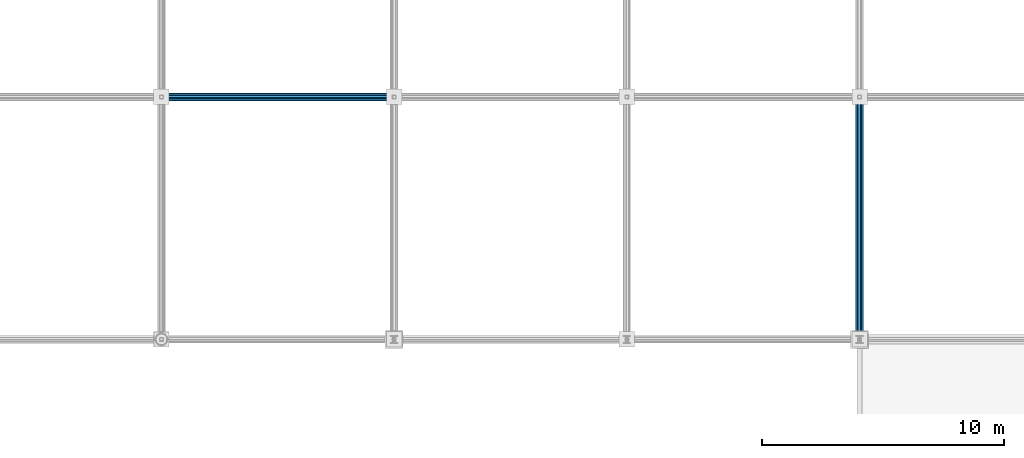
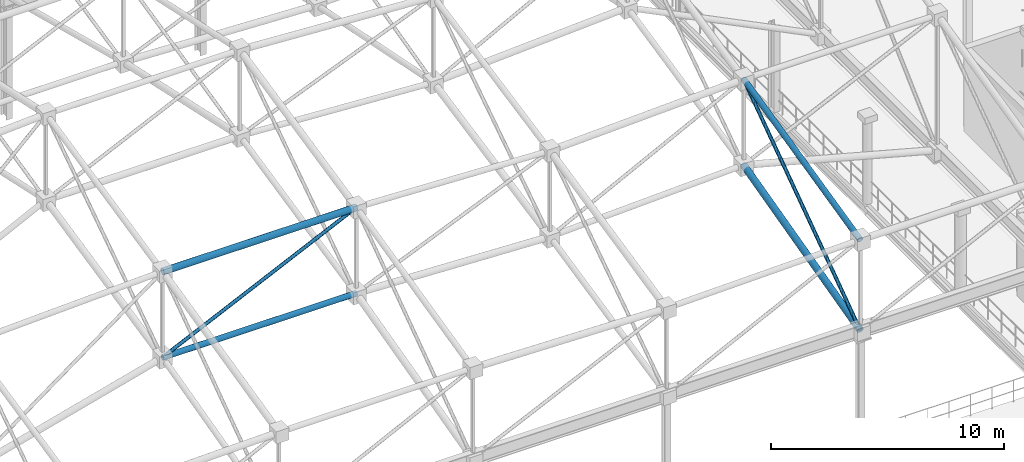
# One storey, part 80 of 193: 6 members.
"""IFC4 building model written with IfcOpenShell, lengths in metres."""

from ifc_helpers import new_model, si_unit, direction, frame, origin, origin_2d, place, context, subcontext, project, spatial, hollow_circle, extrude, material, material_profile, profile_set, type_object, element, save


model = new_model("IFC4")

# Units and contexts
model_context = context("Model", 3, precision=1e-05, world=origin(), true_north=direction((0.0, 1.0)))
body_context = subcontext(model_context, "Body", "Model", "MODEL_VIEW")
ifc_project = project(units=[si_unit("LENGTHUNIT", "METRE"), si_unit("AREAUNIT", "SQUARE_METRE"), si_unit("VOLUMEUNIT", "CUBIC_METRE"), si_unit("PLANEANGLEUNIT", "RADIAN"), si_unit("MASSUNIT", "GRAM", prefix="KILO")], contexts=[model_context])

# Site, building, storey
site_placement = place(None, origin())
site = spatial("IfcSite", under=ifc_project, at=site_placement, CompositionType="ELEMENT")
building_placement = place(site_placement, origin())
building = spatial("IfcBuilding", under=site, at=building_placement, Name="Danafjord Basin Convention Centre", CompositionType="ELEMENT")
storey_placement = place(building_placement, frame((0.0, 0.0, 11.39990234375)))
storey = spatial("IfcBuildingStorey", under=building, at=storey_placement, Name="L02", CompositionType="ELEMENT", Elevation=11.39990234375)

# Members
ifc_material = material(Name="Steel S355", Category="steel")
ifc_material_profile_1 = material_profile(ifc_material, hollow_circle(Radius=0.136474609375, WallThickness=0.012451171875, at=origin_2d()), Name="CHS 273.0x12.5")
ifc_profile_set_1 = profile_set([ifc_material_profile_1], Name="Steel S355")
member_type_1 = type_object("IfcMemberType", Name="MEM-CH-CHS273", PredefinedType="CHORD", material=ifc_profile_set_1)
member_1_placement = place(storey_placement, frame((153.60009765625, 50.0, 8.927978515625), z_axis=(0.999999999677, 0.0, -2.5431703e-05), x_axis=(0.0, 1.0, 0.0)))
element("IfcMember", 1, at=member_1_placement, inside=storey, type_object=member_type_1, Name="V3 roof truss longitudinal bottom chord", PredefinedType="CHORD", context=body_context, shape_type="SweptSolid", body=[
    extrude(hollow_circle(Radius=0.136474609375, WallThickness=0.012451171875, at=origin_2d()), origin(), (0.0, 0.0, 1.0), 9.599853515625),
])
member_2_placement = place(storey_placement, frame((182.39990234375, 40.0, 11.0751953125), z_axis=(0.0, 0.97342589455, 0.229002244138), x_axis=(-1.0, 0.0, 0.0)))
element("IfcMember", 2, at=member_2_placement, inside=storey, type_object=member_type_1, Name="V3 roof truss transverse top chord", PredefinedType="CHORD", context=body_context, shape_type="SweptSolid", body=[
    extrude(hollow_circle(Radius=0.136474609375, WallThickness=0.012451171875, at=origin_2d()), origin(), (0.0, 0.0, 1.0), 10.27294921875),
])
ifc_material_profile_2 = material_profile(ifc_material, hollow_circle(Radius=0.161865234375, WallThickness=0.01611328125, at=origin_2d()), Name="CHS 323.9x16.0")
ifc_profile_set_2 = profile_set([ifc_material_profile_2], Name="Steel S355")
member_type_2 = type_object("IfcMemberType", Name="MEM-CH-CHS324", PredefinedType="CHORD", material=ifc_profile_set_2)
member_3_placement = place(storey_placement, frame((153.60009765625, 50.0, 13.427978515625), z_axis=(0.999999999677, 0.0, -2.5431703e-05), x_axis=(0.0, 1.0, 0.0)))
element("IfcMember", 3, at=member_3_placement, inside=storey, type_object=member_type_2, Name="V3 roof truss longitudinal top chord", PredefinedType="CHORD", context=body_context, shape_type="SweptSolid", body=[
    extrude(hollow_circle(Radius=0.161865234375, WallThickness=0.01611328125, at=origin_2d()), origin(), (0.0, 0.0, 1.0), 9.599853515625),
])
member_4_placement = place(storey_placement, frame((182.39990234375, 40.0, 6.35009765625), z_axis=(0.0, 0.968347770867, 0.249604877071), x_axis=(-1.0, 0.0, 0.0)))
element("IfcMember", 4, at=member_4_placement, inside=storey, type_object=member_type_2, Name="V3 roof truss transverse bottom chord", PredefinedType="CHORD", context=body_context, shape_type="SweptSolid", body=[
    extrude(hollow_circle(Radius=0.161865234375, WallThickness=0.01611328125, at=origin_2d()), origin(), (0.0, 0.0, 1.0), 10.326904296875),
])
ifc_material_profile_3 = material_profile(ifc_material, hollow_circle(Radius=0.084228515625, WallThickness=0.008056640625, at=origin_2d()), Name="CHS 168.3x8.0")
ifc_profile_set_3 = profile_set([ifc_material_profile_3], Name="Steel S355")
member_type_3 = type_object("IfcMemberType", Name="MEM-WB-CHS168", PredefinedType="MEMBER", material=ifc_profile_set_3)
member_5_placement = place(storey_placement, frame((153.60009765625, 50.0, 8.927978515625), z_axis=(0.905465296543, 0.0, 0.424420306721), x_axis=(0.0, 1.0, 0.0)))
element("IfcMember", 5, at=member_5_placement, inside=storey, type_object=member_type_3, Name="V3 space-frame longitudinal web", PredefinedType="MEMBER", context=body_context, shape_type="SweptSolid", body=[
    extrude(hollow_circle(Radius=0.084228515625, WallThickness=0.008056640625, at=origin_2d()), origin(), (0.0, 0.0, 1.0), 10.60205078125),
])
member_6_placement = place(storey_placement, frame((182.39990234375, 40.0, 6.35009765625), z_axis=(0.0, 0.816243743632, 0.577707669138), x_axis=(-1.0, 0.0, 0.0)))
element("IfcMember", 6, at=member_6_placement, inside=storey, type_object=member_type_3, Name="V3 space-frame transverse web", PredefinedType="MEMBER", context=body_context, shape_type="SweptSolid", body=[
    extrude(hollow_circle(Radius=0.084228515625, WallThickness=0.008056640625, at=origin_2d()), origin(), (0.0, 0.0, 1.0), 12.251220703125),
])

save(model, "model.ifc")
